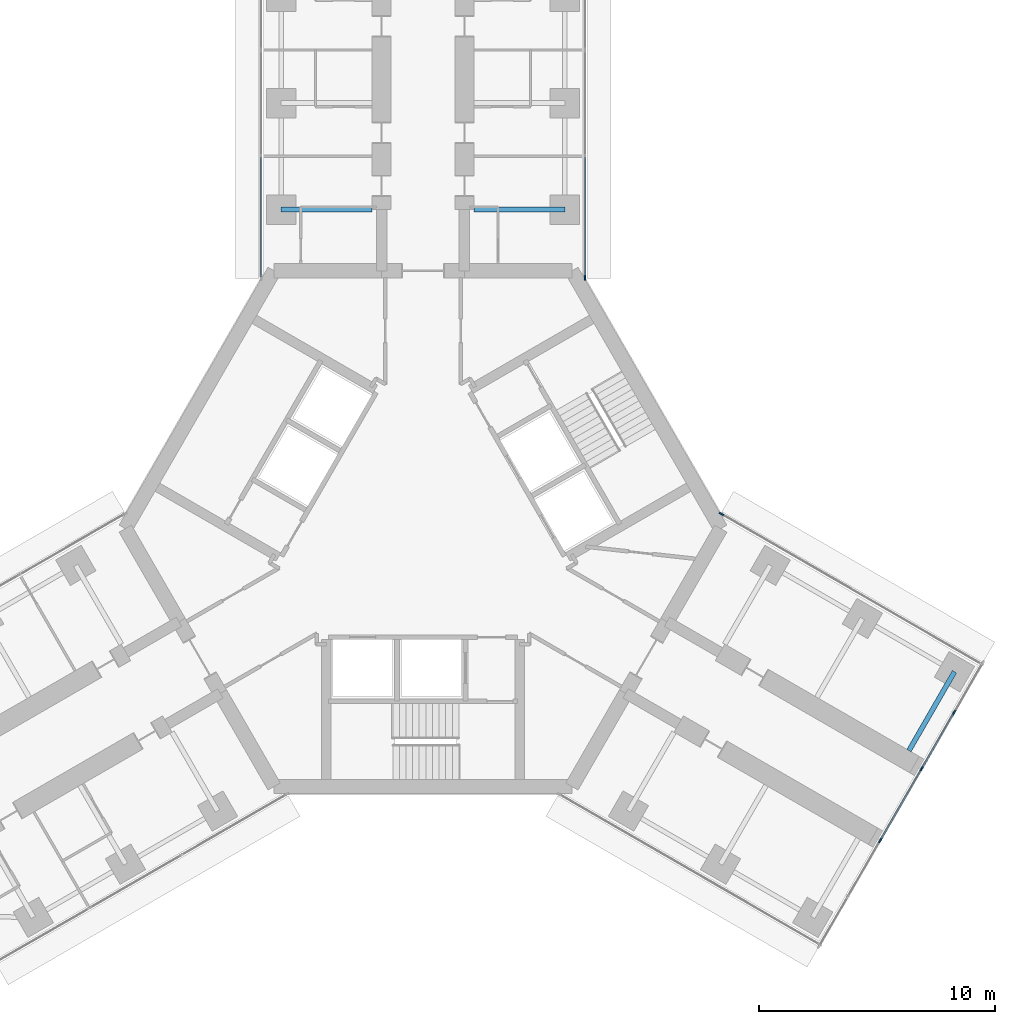
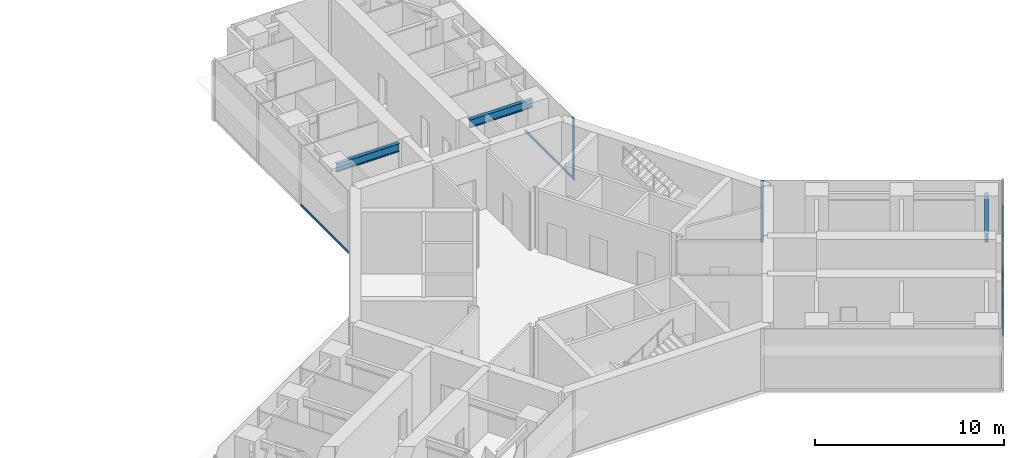
# One storey, part 10 of 23: 9 members, 3 beams, 4 elements without a shape of their own.
"""IFC4 building model written with IfcOpenShell, lengths in metres."""

from ifc_helpers import new_model, si_unit, direction, frame, origin, origin_2d, place, context, subcontext, project, spatial, rectangle, i_section, extrude, material, material_profile, profile_set, type_object, element, aggregate, save


model = new_model("IFC4")

# Units and contexts
model_context = context("Model", 3, precision=1e-05, world=origin(), true_north=direction((0.0, 1.0)))
body_context = subcontext(model_context, "Body", "Model", "MODEL_VIEW")
ifc_project = project(units=[si_unit("LENGTHUNIT", "METRE"), si_unit("AREAUNIT", "SQUARE_METRE"), si_unit("VOLUMEUNIT", "CUBIC_METRE"), si_unit("PLANEANGLEUNIT", "RADIAN"), si_unit("MASSUNIT", "GRAM", prefix="KILO")], contexts=[model_context])

# Site, building, storey
site_placement = place(None, origin())
site = spatial("IfcSite", under=ifc_project, at=site_placement, CompositionType="ELEMENT")
building_placement = place(site_placement, origin())
building = spatial("IfcBuilding", under=site, at=building_placement, Name="Upepo Twin Towers", CompositionType="ELEMENT")
storey_placement = place(building_placement, frame((0.0, 0.0, 149.5)))
storey = spatial("IfcBuildingStorey", under=building, at=storey_placement, Name="L36", CompositionType="ELEMENT", Elevation=149.5)

# Beams
ifc_material_1 = material(Name="Steel S355", Category="steel")
ifc_material_profile_1 = material_profile(ifc_material_1, i_section(OverallWidth=0.209228515625, OverallDepth=0.533203125, WebThickness=0.010009765625, FlangeThickness=0.015625, FilletRadius=0.0126953125, at=origin_2d()), Name="UB 533x210x92")
ifc_profile_set_1 = profile_set([ifc_material_profile_1], Name="Steel S355")
beam_type = type_object("IfcBeamType", Name="Beam UB 533x210x92", PredefinedType="BEAM", material=ifc_profile_set_1)
for number, where, z_axis, x_axis, name in (
    (1, (52.5, -4.5, 3.533447265625), (1.0, 0.0, 0.0), (0.0, 1.0, 0.0), "T2 girder AL at 13.5"),
    (2, (64.5, -4.5, 3.533447265625), (-1.0, 0.0, 0.0), (0.0, -1.0, 0.0), "T2 girder AR at 13.5"),
):
    element("IfcBeam", number, at=place(storey_placement, frame(where, z_axis=z_axis, x_axis=x_axis)), inside=storey, type_object=beam_type, Name=name, PredefinedType="BEAM", context=body_context, shape_type="SweptSolid", body=[
        extrude(i_section(OverallWidth=0.209228515625, OverallDepth=0.533203125, WebThickness=0.010009765625, FlangeThickness=0.015625, FilletRadius=0.0126953125, at=origin_2d()), origin(), (0.0, 0.0, 1.0), 3.85009765625),
    ])
beam_placement = place(storey_placement, frame((80.985595703125, -24.053955078125, 3.533447265625), z_axis=(-0.500033517596, -0.866006051527, 0.0), x_axis=(0.866006051527, -0.500033517596, 0.0)))
element("IfcBeam", 3, at=beam_placement, inside=storey, type_object=beam_type, Name="T2 girder CL at 22.5", PredefinedType="BEAM", context=body_context, shape_type="SweptSolid", body=[
    extrude(i_section(OverallWidth=0.209228515625, OverallDepth=0.533203125, WebThickness=0.010009765625, FlangeThickness=0.015625, FilletRadius=0.0126953125, at=origin_2d()), origin(), (0.0, 0.0, 1.0), 3.849853515625),
])

# Curtain wall, member
ifc_material_2 = material(Name="Aluminium and fritted glass", Category="aluminium")
curtain_wall_type = type_object("IfcCurtainWallType", Name="Tower curtain wall TW2, fritted glass", PredefinedType="NOTDEFINED", material=ifc_material_2)
curtain_wall_1_placement = place(storey_placement, origin())
curtain_wall_1 = element("IfcCurtainWall", 4, at=curtain_wall_1_placement, inside=storey, type_object=curtain_wall_type, Name="T2 L36 wing A flank R curtain wall", PredefinedType="NOTDEFINED")
ifc_material_3 = material(Name="Aluminium mullion", Category="aluminium")
ifc_material_profile_2 = material_profile(ifc_material_3, rectangle(XDim=0.06494140625, YDim=0.199951171875, at=origin_2d()), Name="MULLION 65x200")
ifc_profile_set_2 = profile_set([ifc_material_profile_2], Name="Aluminium mullion")
member_type_1 = type_object("IfcMemberType", Name="Mullion 65x200 TW2", PredefinedType="MULLION", material=ifc_profile_set_2)
member_1_placement = place(storey_placement, frame((65.35009765625, -7.38037109375, 0.0), z_axis=(0.0, 0.0, 1.0), x_axis=(1.0, 0.0, 0.0)))
member_1 = element("IfcMember", 5, at=member_1_placement, type_object=member_type_1, Name="T2 L36 wing A flank R curtain wall mullion 4", PredefinedType="MULLION", context=body_context, shape_type="SweptSolid", body=[
    extrude(rectangle(XDim=0.06494140625, YDim=0.199951171875, at=origin_2d()), origin(), (0.0, 0.0, 1.0), 4.0),
])

curtain_wall_2_placement = place(storey_placement, origin())
curtain_wall_2 = element("IfcCurtainWall", 6, at=curtain_wall_2_placement, inside=storey, type_object=curtain_wall_type, Name="T2 L36 wing C flank L curtain wall", PredefinedType="NOTDEFINED")
member_2_placement = place(storey_placement, frame((71.121826171875, -17.37744140625, 0.0), z_axis=(0.0, 0.0, 1.0), x_axis=(0.50000000792, 0.866025399212, 0.0)))
member_2 = element("IfcMember", 7, at=member_2_placement, type_object=member_type_1, Name="T2 L36 wing C flank L curtain wall mullion 1", PredefinedType="MULLION", context=body_context, shape_type="SweptSolid", body=[
    extrude(rectangle(XDim=0.06494140625, YDim=0.199951171875, at=origin_2d()), origin(), (0.0, 0.0, 1.0), 4.0),
])
aggregate(curtain_wall_2, [member_2])

# Curtain wall, members
curtain_wall_3_placement = place(storey_placement, origin())
curtain_wall_3 = element("IfcCurtainWall", 8, at=curtain_wall_3_placement, inside=storey, type_object=curtain_wall_type, Name="T2 L36 wing C nose curtain wall", PredefinedType="NOTDEFINED")
member_3_placement = place(storey_placement, frame((77.8466796875, -31.1904296875, 0.0), z_axis=(0.0, 0.0, 1.0), x_axis=(-0.866025419745, 0.499999972355, 0.0)))
member_3 = element("IfcMember", 9, at=member_3_placement, type_object=member_type_1, Name="T2 L36 wing C nose curtain wall mullion 3", PredefinedType="MULLION", context=body_context, shape_type="SweptSolid", body=[
    extrude(rectangle(XDim=0.06494140625, YDim=0.199951171875, at=origin_2d()), origin(), (0.0, 0.0, 1.0), 4.0),
])
member_4_placement = place(storey_placement, frame((79.5966796875, -28.159423828125, 0.0), z_axis=(0.0, 0.0, 1.0), x_axis=(-0.866025419745, 0.499999972355, 0.0)))
member_4 = element("IfcMember", 10, at=member_4_placement, type_object=member_type_1, Name="T2 L36 wing C nose curtain wall mullion 4", PredefinedType="MULLION", context=body_context, shape_type="SweptSolid", body=[
    extrude(rectangle(XDim=0.06494140625, YDim=0.199951171875, at=origin_2d()), origin(), (0.0, 0.0, 1.0), 4.0),
])
member_5_placement = place(storey_placement, frame((80.9716796875, -25.77783203125, 0.0), z_axis=(0.0, 0.0, 1.0), x_axis=(-0.866025419745, 0.499999972355, 0.0)))
member_5 = element("IfcMember", 11, at=member_5_placement, type_object=member_type_1, Name="T2 L36 wing C nose curtain wall mullion 5", PredefinedType="MULLION", context=body_context, shape_type="SweptSolid", body=[
    extrude(rectangle(XDim=0.06494140625, YDim=0.199951171875, at=origin_2d()), origin(), (0.0, 0.0, 1.0), 4.0),
])

# Curtain wall, member
curtain_wall_4_placement = place(storey_placement, origin())
curtain_wall_4 = element("IfcCurtainWall", 12, at=curtain_wall_4_placement, inside=storey, type_object=curtain_wall_type, Name="T2 L36 wing A flank L curtain wall", PredefinedType="NOTDEFINED")
ifc_material_4 = material(Name="Aluminium transom", Category="aluminium")
ifc_material_profile_3 = material_profile(ifc_material_4, rectangle(XDim=0.06494140625, YDim=0.14990234375, at=origin_2d()), Name="TRANSOM 65x150")
ifc_profile_set_3 = profile_set([ifc_material_profile_3], Name="Aluminium transom")
member_type_2 = type_object("IfcMemberType", Name="Transom 65x150 TW2", PredefinedType="USERDEFINED", material=ifc_profile_set_3)
member_6_placement = place(storey_placement, frame((51.64990234375, -7.347900390625, 0.074951171875), z_axis=(0.0, 1.0, 0.0), x_axis=(-1.0, 0.0, 0.0)))
member_6 = element("IfcMember", 13, at=member_6_placement, type_object=member_type_2, Name="T2 L36 wing A flank L curtain wall transom 1", ObjectType="TRANSOM", PredefinedType="USERDEFINED", context=body_context, shape_type="SweptSolid", body=[
    extrude(rectangle(XDim=0.06494140625, YDim=0.14990234375, at=origin_2d()), origin(), (0.0, 0.0, 1.0), 5.0654296875),
])
aggregate(curtain_wall_4, [member_6])

# Member
member_7_placement = place(storey_placement, frame((65.35009765625, -2.282470703125, 0.074951171875), z_axis=(0.0, -1.0, 0.0), x_axis=(1.0, 0.0, 0.0)))
member_7 = element("IfcMember", 14, at=member_7_placement, type_object=member_type_2, Name="T2 L36 wing A flank R curtain wall transom 3", ObjectType="TRANSOM", PredefinedType="USERDEFINED", context=body_context, shape_type="SweptSolid", body=[
    extrude(rectangle(XDim=0.06494140625, YDim=0.14990234375, at=origin_2d()), origin(), (0.0, 0.0, 1.0), 5.0654296875),
])

aggregate(curtain_wall_1, [member_1, member_7])

member_8_placement = place(storey_placement, frame((77.863037109375, -31.162353515625, 0.074951171875), z_axis=(0.499945997713, 0.866056579774, 0.0), x_axis=(-0.866056579774, 0.499945997713, 0.0)))
member_8 = element("IfcMember", 15, at=member_8_placement, type_object=member_type_2, Name="T2 L36 wing C nose curtain wall transom 3", ObjectType="TRANSOM", PredefinedType="USERDEFINED", context=body_context, shape_type="SweptSolid", body=[
    extrude(rectangle(XDim=0.06494140625, YDim=0.14990234375, at=origin_2d()), origin(), (0.0, 0.0, 1.0), 3.43505859375),
])

member_9_placement = place(storey_placement, frame((79.613037109375, -28.13134765625, 0.074951171875), z_axis=(0.49995335277, 0.8660523339, 0.0), x_axis=(-0.8660523339, 0.49995335277, 0.0)))
member_9 = element("IfcMember", 16, at=member_9_placement, type_object=member_type_2, Name="T2 L36 wing C nose curtain wall transom 4", ObjectType="TRANSOM", PredefinedType="USERDEFINED", context=body_context, shape_type="SweptSolid", body=[
    extrude(rectangle(XDim=0.06494140625, YDim=0.14990234375, at=origin_2d()), origin(), (0.0, 0.0, 1.0), 2.684814453125),
])

aggregate(curtain_wall_3, [member_3, member_4, member_5, member_8, member_9])

save(model, "model.ifc")
